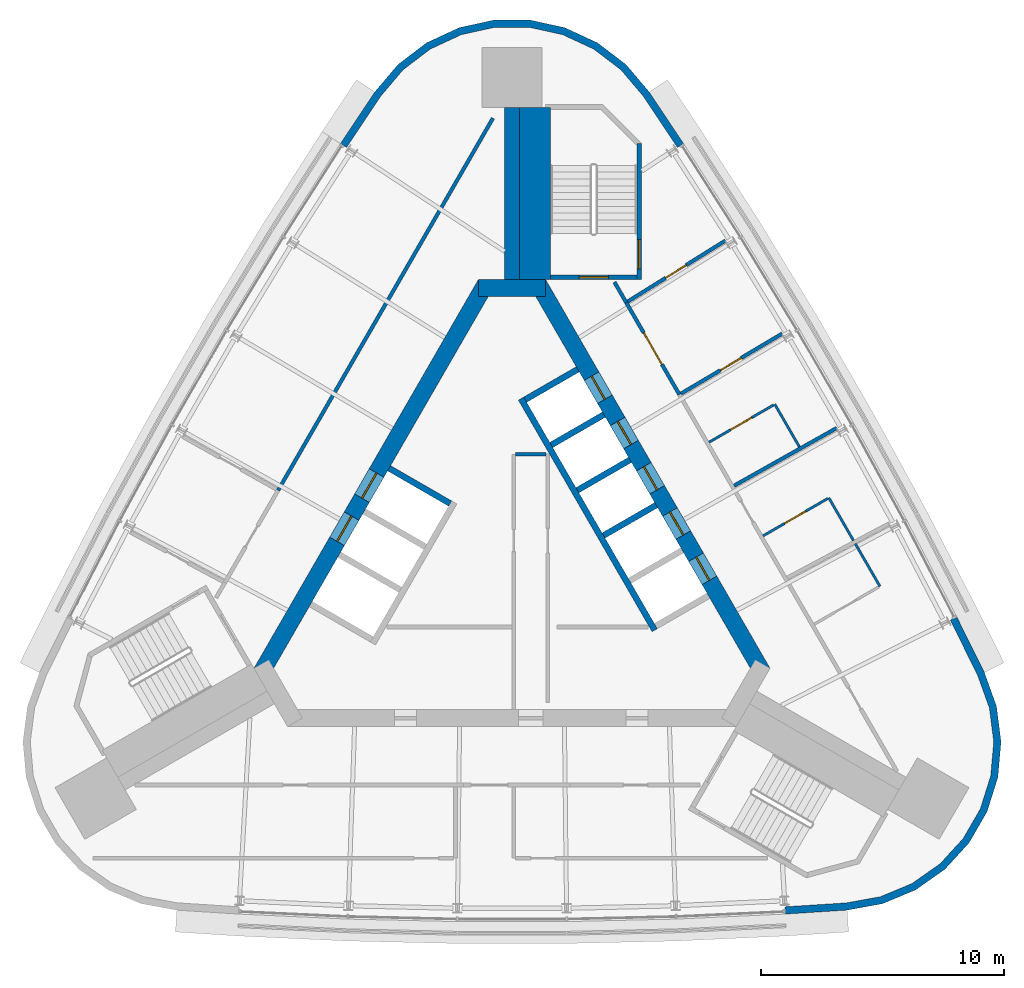
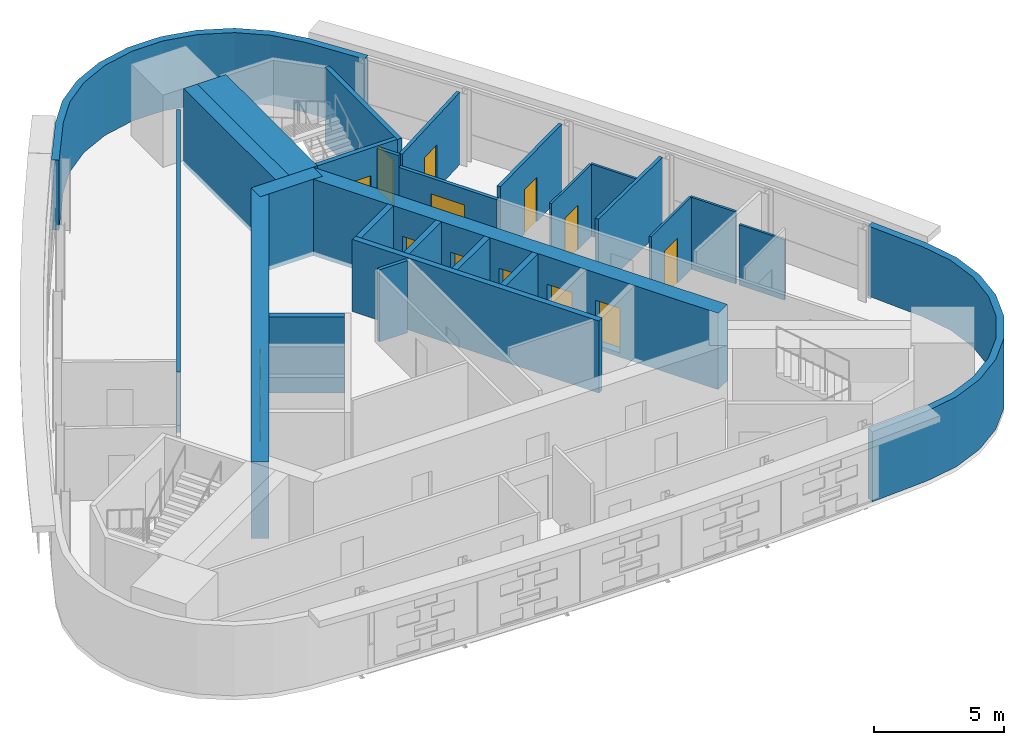
# One storey, part 7 of 10: 27 walls, 14 doors, 14 openings.
"""IFC4 building model written with IfcOpenShell, lengths in metres."""

from ifc_helpers import new_model, si_unit, direction, frame, frame_2d, origin, place, context, subcontext, project, spatial, polyline, rectangle, outline, extrude, material, layer, layer_set, type_object, element, fill, save


model = new_model("IFC4")

# Units and contexts
model_context = context("Model", 3, precision=1e-05, world=origin(), true_north=direction((0.0, 1.0)))
body_context = subcontext(model_context, "Body", "Model", "MODEL_VIEW")
ifc_project = project(units=[si_unit("LENGTHUNIT", "METRE"), si_unit("AREAUNIT", "SQUARE_METRE"), si_unit("VOLUMEUNIT", "CUBIC_METRE"), si_unit("PLANEANGLEUNIT", "RADIAN"), si_unit("MASSUNIT", "GRAM", prefix="KILO")], contexts=[model_context])

# Site, building, storey
site_placement = place(None, origin())
site = spatial("IfcSite", under=ifc_project, at=site_placement, CompositionType="ELEMENT")
building_placement = place(site_placement, origin())
building = spatial("IfcBuilding", under=site, at=building_placement, Name="Noor Cloister Tower", CompositionType="ELEMENT")
storey_placement = place(building_placement, frame((0.0, 0.0, 243.60009765625)))
storey = spatial("IfcBuildingStorey", under=building, at=storey_placement, Name="L63", CompositionType="ELEMENT", Elevation=243.60009765625)

# Walls
ifc_material_1 = material(Name="Concrete C60/75", Category="concrete")
ifc_layer_1 = layer(ifc_material_1, 0.60009765625)
ifc_layer_set_1 = layer_set([ifc_layer_1], Name="Buttress wall 600 C60/75")
wall_type_1 = type_object("IfcWallType", Name="Buttress wall 600 C60/75", PredefinedType="SHEAR", material=ifc_layer_set_1)
wall_1_placement = place(storey_placement, frame((0.0, 11.456298828125, -0.2001953125), z_axis=(0.0, 0.0, 1.0), x_axis=(0.0, 1.0, 0.0)))
element("IfcWall", 1, at=wall_1_placement, inside=storey, type_object=wall_type_1, Name="Buttress wall N L63", PredefinedType="SHEAR", context=body_context, shape_type="SweptSolid", body=[
    extrude(rectangle(XDim=7.09375, YDim=0.60009765625, at=frame_2d((3.546875, 0.0))), origin(), (0.0, 0.0, 1.0), 3.60009765625),
])
ifc_material_2 = material(Name="Concrete C30/37", Category="concrete")
ifc_layer_2 = layer(ifc_material_2, 0.14990234375)
ifc_layer_set_2 = layer_set([ifc_layer_2], Name="Core partition 150 C30/37")
wall_type_2 = type_object("IfcWallType", Name="Core partition 150 C30/37", PredefinedType="PARTITIONING", material=ifc_layer_set_2)
wall_2_placement = place(storey_placement, frame((0.146240234375, 4.271728515625, 0.0), z_axis=(0.0, 0.0, 1.0), x_axis=(1.0, 0.0, 0.0)))
element("IfcWall", 2, at=wall_2_placement, inside=storey, type_object=wall_type_2, Name="Core room partition L63 3", PredefinedType="PARTITIONING", context=body_context, shape_type="SweptSolid", body=[
    extrude(rectangle(XDim=1.25, YDim=0.14990234375, at=frame_2d((0.625, 0.0))), origin(), (0.0, 0.0, 1.0), 3.39990234375),
])

# Wall, openings, doors
ifc_material_3 = material(Name="Concrete C60/75", Category="concrete")
ifc_layer_3 = layer(ifc_material_3, 0.699951171875)
ifc_layer_set_3 = layer_set([ifc_layer_3], Name="Core wall 700 C60/75")
wall_type_3 = type_object("IfcWallType", Name="Core wall 700 C60/75", PredefinedType="SHEAR", material=ifc_layer_set_3)
wall_3_placement = place(storey_placement, frame((10.311279296875, -4.703125, -0.2001953125), z_axis=(0.0, 0.0, 1.0), x_axis=(-0.500001446645, 0.866024568562, 0.0)))
wall_3 = element("IfcWall", 3, at=wall_3_placement, inside=storey, type_object=wall_type_3, Name="Core wall L63 3", PredefinedType="SHEAR", context=body_context, shape_type="SweptSolid", body=[
    extrude(rectangle(XDim=18.45751953125, YDim=0.699951171875, at=frame_2d((9.228759765625, 0.0))), origin(), (0.0, 0.0, 1.0), 3.60009765625),
])
opening_1_placement = place(wall_3_placement, frame((4.378662109375, 0.0, 0.199951171875)))
opening_1 = element("IfcOpeningElement", 4, at=opening_1_placement, cuts=wall_3, Name="Opening L63-HR1", PredefinedType="OPENING", context=body_context, shape_type="SweptSolid", body=[
    extrude(rectangle(XDim=1.10009765625, YDim=2.10009765625, at=frame_2d((0.550048828125, 1.050048828125))), frame((0.0, 0.35986328125, 0.0), z_axis=(0.0, -1.0, 0.0), x_axis=(1.0, 0.0, 0.0)), (0.0, 0.0, 1.0), 0.719970703125),
])
opening_2_placement = place(wall_3_placement, frame((6.52880859375, 0.0, 0.199951171875)))
opening_2 = element("IfcOpeningElement", 5, at=opening_2_placement, cuts=wall_3, Name="Opening L63-HR2", PredefinedType="OPENING", context=body_context, shape_type="SweptSolid", body=[
    extrude(rectangle(XDim=1.10009765625, YDim=2.10009765625, at=frame_2d((0.550048828125, 1.050048828125))), frame((0.0, 0.35986328125, 0.0), z_axis=(0.0, -1.0, 0.0), x_axis=(1.0, 0.0, 0.0)), (0.0, 0.0, 1.0), 0.719970703125),
])
opening_3_placement = place(wall_3_placement, frame((8.6787109375, 0.0, 0.199951171875)))
opening_3 = element("IfcOpeningElement", 6, at=opening_3_placement, cuts=wall_3, Name="Opening L63-HR3", PredefinedType="OPENING", context=body_context, shape_type="SweptSolid", body=[
    extrude(rectangle(XDim=1.10009765625, YDim=2.10009765625, at=frame_2d((0.550048828125, 1.050048828125))), frame((0.0, 0.35986328125, 0.0), z_axis=(0.0, -1.0, 0.0), x_axis=(1.0, 0.0, 0.0)), (0.0, 0.0, 1.0), 0.719970703125),
])
opening_4_placement = place(wall_3_placement, frame((10.82861328125, 0.0, 0.199951171875)))
opening_4 = element("IfcOpeningElement", 7, at=opening_4_placement, cuts=wall_3, Name="Opening L63-HR4", PredefinedType="OPENING", context=body_context, shape_type="SweptSolid", body=[
    extrude(rectangle(XDim=1.10009765625, YDim=2.10009765625, at=frame_2d((0.550048828125, 1.050048828125))), frame((0.0, 0.35986328125, 0.0), z_axis=(0.0, -1.0, 0.0), x_axis=(1.0, 0.0, 0.0)), (0.0, 0.0, 1.0), 0.719970703125),
])
opening_5_placement = place(wall_3_placement, frame((12.978759765625, 0.0, 0.199951171875)))
opening_5 = element("IfcOpeningElement", 8, at=opening_5_placement, cuts=wall_3, Name="Opening L63-HR5", PredefinedType="OPENING", context=body_context, shape_type="SweptSolid", body=[
    extrude(rectangle(XDim=1.10009765625, YDim=2.10009765625, at=frame_2d((0.550048828125, 1.050048828125))), frame((0.0, 0.35986328125, 0.0), z_axis=(0.0, -1.0, 0.0), x_axis=(1.0, 0.0, 0.0)), (0.0, 0.0, 1.0), 0.719970703125),
])
ifc_material_4 = material(Name="Stainless steel", Category="steel")
door_type_1 = type_object("IfcDoorType", Name="Lift landing door 1100 x 2100", OperationType="DOUBLE_DOOR_SLIDING", PredefinedType="DOOR", material=ifc_material_4)
door_1_placement = place(opening_1_placement, origin())
door_1 = element("IfcDoor", 9, at=door_1_placement, inside=storey, type_object=door_type_1, Name="Landing door HR1 L63", OperationType="DOUBLE_DOOR_SLIDING", OverallHeight=2.10009765625, OverallWidth=1.10009765625, PredefinedType="DOOR", context=body_context, shape_type="SweptSolid", body=[
    extrude(rectangle(XDim=1.10009765625, YDim=2.10009765625, at=frame_2d((0.550048828125, 1.050048828125))), frame((0.0, 0.02490234375, 0.0), z_axis=(0.0, -1.0, 0.0), x_axis=(1.0, 0.0, 0.0)), (0.0, 0.0, 1.0), 0.050048828125),
])
fill(opening_1, door_1)
door_2_placement = place(opening_2_placement, origin())
door_2 = element("IfcDoor", 10, at=door_2_placement, inside=storey, type_object=door_type_1, Name="Landing door HR2 L63", OperationType="DOUBLE_DOOR_SLIDING", OverallHeight=2.10009765625, OverallWidth=1.10009765625, PredefinedType="DOOR", context=body_context, shape_type="SweptSolid", body=[
    extrude(rectangle(XDim=1.10009765625, YDim=2.10009765625, at=frame_2d((0.550048828125, 1.050048828125))), frame((0.0, 0.02490234375, 0.0), z_axis=(0.0, -1.0, 0.0), x_axis=(1.0, 0.0, 0.0)), (0.0, 0.0, 1.0), 0.050048828125),
])
fill(opening_2, door_2)
door_3_placement = place(opening_3_placement, origin())
door_3 = element("IfcDoor", 11, at=door_3_placement, inside=storey, type_object=door_type_1, Name="Landing door HR3 L63", OperationType="DOUBLE_DOOR_SLIDING", OverallHeight=2.10009765625, OverallWidth=1.10009765625, PredefinedType="DOOR", context=body_context, shape_type="SweptSolid", body=[
    extrude(rectangle(XDim=1.10009765625, YDim=2.10009765625, at=frame_2d((0.550048828125, 1.050048828125))), frame((0.0, 0.02490234375, 0.0), z_axis=(0.0, -1.0, 0.0), x_axis=(1.0, 0.0, 0.0)), (0.0, 0.0, 1.0), 0.050048828125),
])
fill(opening_3, door_3)
door_4_placement = place(opening_4_placement, origin())
door_4 = element("IfcDoor", 12, at=door_4_placement, inside=storey, type_object=door_type_1, Name="Landing door HR4 L63", OperationType="DOUBLE_DOOR_SLIDING", OverallHeight=2.10009765625, OverallWidth=1.10009765625, PredefinedType="DOOR", context=body_context, shape_type="SweptSolid", body=[
    extrude(rectangle(XDim=1.10009765625, YDim=2.10009765625, at=frame_2d((0.550048828125, 1.050048828125))), frame((0.0, 0.02490234375, 0.0), z_axis=(0.0, -1.0, 0.0), x_axis=(1.0, 0.0, 0.0)), (0.0, 0.0, 1.0), 0.050048828125),
])
fill(opening_4, door_4)
door_5_placement = place(opening_5_placement, origin())
door_5 = element("IfcDoor", 13, at=door_5_placement, inside=storey, type_object=door_type_1, Name="Landing door HR5 L63", OperationType="DOUBLE_DOOR_SLIDING", OverallHeight=2.10009765625, OverallWidth=1.10009765625, PredefinedType="DOOR", context=body_context, shape_type="SweptSolid", body=[
    extrude(rectangle(XDim=1.10009765625, YDim=2.10009765625, at=frame_2d((0.550048828125, 1.050048828125))), frame((0.0, 0.02490234375, 0.0), z_axis=(0.0, -1.0, 0.0), x_axis=(1.0, 0.0, 0.0)), (0.0, 0.0, 1.0), 0.050048828125),
])
fill(opening_5, door_5)

# Wall
wall_4_placement = place(storey_placement, frame((1.3857421875, 11.1064453125, -0.2001953125), z_axis=(0.0, 0.0, 1.0), x_axis=(-1.0, 0.0, 0.0)))
element("IfcWall", 14, at=wall_4_placement, inside=storey, type_object=wall_type_3, Name="Core wall L63 4", PredefinedType="SHEAR", context=body_context, shape_type="SweptSolid", body=[
    extrude(rectangle(XDim=2.771484375, YDim=0.699951171875, at=frame_2d((1.3857421875, 0.0))), origin(), (0.0, 0.0, 1.0), 3.60009765625),
])

# Wall, openings, doors
wall_5_placement = place(storey_placement, frame((-1.08251953125, 11.281494140625, -0.2001953125), z_axis=(0.0, 0.0, 1.0), x_axis=(-0.500001446645, -0.866024568562, 0.0)))
wall_5 = element("IfcWall", 15, at=wall_5_placement, inside=storey, type_object=wall_type_3, Name="Core wall L63 5", PredefinedType="SHEAR", context=body_context, shape_type="SweptSolid", body=[
    extrude(rectangle(XDim=18.45751953125, YDim=0.699951171875, at=frame_2d((9.228759765625, 0.0))), origin(), (0.0, 0.0, 1.0), 3.60009765625),
])
opening_6_placement = place(wall_5_placement, frame((8.978759765625, 0.0, 0.199951171875)))
opening_6 = element("IfcOpeningElement", 16, at=opening_6_placement, cuts=wall_5, Name="Opening L63-FF1", PredefinedType="OPENING", context=body_context, shape_type="SweptSolid", body=[
    extrude(rectangle(XDim=1.199951171875, YDim=2.10009765625, at=frame_2d((0.60009765625, 1.050048828125))), frame((0.0, 0.35986328125, 0.0), z_axis=(0.0, -1.0, 0.0), x_axis=(1.0, 0.0, 0.0)), (0.0, 0.0, 1.0), 0.719970703125),
])
opening_7_placement = place(wall_5_placement, frame((11.02880859375, 0.0, 0.199951171875)))
opening_7 = element("IfcOpeningElement", 17, at=opening_7_placement, cuts=wall_5, Name="Opening L63-FF2", PredefinedType="OPENING", context=body_context, shape_type="SweptSolid", body=[
    extrude(rectangle(XDim=1.199951171875, YDim=2.10009765625, at=frame_2d((0.60009765625, 1.050048828125))), frame((0.0, 0.35986328125, 0.0), z_axis=(0.0, -1.0, 0.0), x_axis=(1.0, 0.0, 0.0)), (0.0, 0.0, 1.0), 0.719970703125),
])
ifc_material_5 = material(Name="Stainless steel", Category="steel")
door_type_2 = type_object("IfcDoorType", Name="Lift landing door 1200 x 2100", OperationType="DOUBLE_DOOR_SLIDING", PredefinedType="DOOR", material=ifc_material_5)
door_6_placement = place(opening_6_placement, origin())
door_6 = element("IfcDoor", 18, at=door_6_placement, inside=storey, type_object=door_type_2, Name="Landing door FF1 L63", OperationType="DOUBLE_DOOR_SLIDING", OverallHeight=2.10009765625, OverallWidth=1.199951171875, PredefinedType="DOOR", context=body_context, shape_type="SweptSolid", body=[
    extrude(rectangle(XDim=1.199951171875, YDim=2.10009765625, at=frame_2d((0.60009765625, 1.050048828125))), frame((0.0, 0.02490234375, 0.0), z_axis=(0.0, -1.0, 0.0), x_axis=(1.0, 0.0, 0.0)), (0.0, 0.0, 1.0), 0.050048828125),
])
fill(opening_6, door_6)
door_7_placement = place(opening_7_placement, origin())
door_7 = element("IfcDoor", 19, at=door_7_placement, inside=storey, type_object=door_type_2, Name="Landing door FF2 L63", OperationType="DOUBLE_DOOR_SLIDING", OverallHeight=2.10009765625, OverallWidth=1.199951171875, PredefinedType="DOOR", context=body_context, shape_type="SweptSolid", body=[
    extrude(rectangle(XDim=1.199951171875, YDim=2.10009765625, at=frame_2d((0.60009765625, 1.050048828125))), frame((0.0, 0.02490234375, 0.0), z_axis=(0.0, -1.0, 0.0), x_axis=(1.0, 0.0, 0.0)), (0.0, 0.0, 1.0), 0.050048828125),
])
fill(opening_7, door_7)

# Walls
ifc_material_6 = material(Name="Fire-rated gypsum board partition on steel studs, 150 mm", Category="steel")
ifc_layer_4 = layer(ifc_material_6, 0.14990234375)
ifc_layer_set_4 = layer_set([ifc_layer_4], Name="Fire lobby wall 150")
wall_type_4 = type_object("IfcWallType", Name="Fire lobby wall 150", PredefinedType="PARTITIONING", material=ifc_layer_set_4)
wall_6_placement = place(storey_placement, frame((-0.783203125, 18.10009765625, 0.0), z_axis=(0.0, 0.0, 1.0), x_axis=(-0.499991500055, -0.866030311174, 0.0)))
element("IfcWall", 20, at=wall_6_placement, inside=storey, type_object=wall_type_4, Name="Wall L63-W21", PredefinedType="PARTITIONING", context=body_context, shape_type="SweptSolid", body=[
    extrude(rectangle(XDim=17.673583984375, YDim=0.14990234375, at=frame_2d((8.8369140625, 0.0))), origin(), (0.0, 0.0, 1.0), 2.851806640625),
])
ifc_material_7 = material(Name="Gypsum board partition on steel studs, 150 mm", Category="steel")
ifc_layer_5 = layer(ifc_material_7, 0.14990234375)
ifc_layer_set_5 = layer_set([ifc_layer_5], Name="Flat wall 150")
wall_type_5 = type_object("IfcWallType", Name="Flat wall 150", PredefinedType="PARTITIONING", material=ifc_layer_set_5)
wall_7_placement = place(storey_placement, frame((4.698974609375, 10.517578125, 0.0), z_axis=(0.0, 0.0, 1.0), x_axis=(-0.500042431503, 0.866000904559, 0.0)))
element("IfcWall", 21, at=wall_7_placement, inside=storey, type_object=wall_type_5, Name="Wall L63-W02", PredefinedType="PARTITIONING", context=body_context, shape_type="SweptSolid", body=[
    extrude(rectangle(XDim=0.96875, YDim=0.14990234375, at=frame_2d((0.484375, 0.0))), origin(), (0.0, 0.0, 1.0), 3.39990234375),
])

# Wall, opening, door
wall_8_placement = place(storey_placement, frame((11.115966796875, 9.237548828125, 0.0), z_axis=(0.0, 0.0, 1.0), x_axis=(-0.860234203322, -0.509899122803, 0.0)))
wall_8 = element("IfcWall", 22, at=wall_8_placement, inside=storey, type_object=wall_type_5, Name="Wall L63-W03", PredefinedType="PARTITIONING", context=body_context, shape_type="SweptSolid", body=[
    extrude(rectangle(XDim=4.842529296875, YDim=0.14990234375, at=frame_2d((2.42138671875, 0.0))), origin(), (0.0, 0.0, 1.0), 3.39990234375),
])
opening_8_placement = place(wall_8_placement, frame((1.958740234375, 0.0, 0.0)))
opening_8 = element("IfcOpeningElement", 23, at=opening_8_placement, cuts=wall_8, Name="Opening L63-007", PredefinedType="OPENING", context=body_context, shape_type="SweptSolid", body=[
    extrude(rectangle(XDim=1.0, YDim=2.10009765625, at=frame_2d((0.5, 1.050048828125))), frame((0.0, 0.0849609375, 0.0), z_axis=(0.0, -1.0, 0.0), x_axis=(1.0, 0.0, 0.0)), (0.0, 0.0, 1.0), 0.169921875),
])
ifc_material_8 = material(Name="Timber door leaf with steel frame", Category="steel")
door_type_3 = type_object("IfcDoorType", Name="Flat entrance door 1000", OperationType="NOTDEFINED", PredefinedType="DOOR", material=ifc_material_8)
door_8_placement = place(opening_8_placement, origin())
door_8 = element("IfcDoor", 24, at=door_8_placement, inside=storey, type_object=door_type_3, Name="Door L63-007", OperationType="SINGLE_SWING_LEFT", OverallHeight=2.10009765625, OverallWidth=1.0, PredefinedType="DOOR", context=body_context, shape_type="SweptSolid", body=[
    extrude(rectangle(XDim=1.0, YDim=2.10009765625, at=frame_2d((0.5, 1.050048828125))), frame((0.0, 0.02490234375, 0.0), z_axis=(0.0, -1.0, 0.0), x_axis=(1.0, 0.0, 0.0)), (0.0, 0.0, 1.0), 0.050048828125),
])
fill(opening_8, door_8)

wall_9_placement = place(storey_placement, frame((8.78173828125, 13.065673828125, 0.0), z_axis=(0.0, 0.0, 1.0), x_axis=(-0.848316605914, -0.529489316351, 0.0)))
wall_9 = element("IfcWall", 25, at=wall_9_placement, inside=storey, type_object=wall_type_5, Name="Wall L63-W04", PredefinedType="PARTITIONING", context=body_context, shape_type="SweptSolid", body=[
    extrude(rectangle(XDim=4.737548828125, YDim=0.14990234375, at=frame_2d((2.36865234375, 0.0))), origin(), (0.0, 0.0, 1.0), 3.39990234375),
])
opening_9_placement = place(wall_9_placement, frame((1.90625, 0.0, 0.0)))
opening_9 = element("IfcOpeningElement", 26, at=opening_9_placement, cuts=wall_9, Name="Opening L63-008", PredefinedType="OPENING", context=body_context, shape_type="SweptSolid", body=[
    extrude(rectangle(XDim=1.0, YDim=2.10009765625, at=frame_2d((0.5, 1.050048828125))), frame((0.0, 0.0849609375, 0.0), z_axis=(0.0, -1.0, 0.0), x_axis=(1.0, 0.0, 0.0)), (0.0, 0.0, 1.0), 0.169921875),
])
ifc_material_9 = material(Name="Timber door leaf with steel frame", Category="steel")
door_type_4 = type_object("IfcDoorType", Name="Interior door 1000 FD60", OperationType="NOTDEFINED", PredefinedType="DOOR", material=ifc_material_9)
door_9_placement = place(opening_9_placement, origin())
door_9 = element("IfcDoor", 27, at=door_9_placement, inside=storey, type_object=door_type_4, Name="Door L63-008", OperationType="SINGLE_SWING_RIGHT", OverallHeight=2.10009765625, OverallWidth=1.0, PredefinedType="DOOR", context=body_context, shape_type="SweptSolid", body=[
    extrude(rectangle(XDim=1.0, YDim=2.10009765625, at=frame_2d((0.5, 1.050048828125))), frame((0.0, 0.02490234375, 0.0), z_axis=(0.0, -1.0, 0.0), x_axis=(1.0, 0.0, 0.0)), (0.0, 0.0, 1.0), 0.050048828125),
])
fill(opening_9, door_9)

wall_10_placement = place(storey_placement, frame((6.8857421875, 6.72998046875, 0.0), z_axis=(0.0, 0.0, 1.0), x_axis=(-0.499999494409, 0.866025695687, 0.0)))
wall_10 = element("IfcWall", 28, at=wall_10_placement, inside=storey, type_object=wall_type_5, Name="Wall L63-W05", PredefinedType="PARTITIONING", context=body_context, shape_type="SweptSolid", body=[
    extrude(rectangle(XDim=4.37353515625, YDim=0.14990234375, at=frame_2d((2.186767578125, 0.0))), origin(), (0.0, 0.0, 1.0), 2.851806640625),
])
opening_10_placement = place(wall_10_placement, frame((1.436767578125, 0.0, 0.0)))
opening_10 = element("IfcOpeningElement", 29, at=opening_10_placement, cuts=wall_10, Name="Opening L63-001", PredefinedType="OPENING", context=body_context, shape_type="SweptSolid", body=[
    extrude(rectangle(XDim=1.5, YDim=2.10009765625, at=frame_2d((0.75, 1.050048828125))), frame((0.0, 0.0849609375, 0.0), z_axis=(0.0, -1.0, 0.0), x_axis=(1.0, 0.0, 0.0)), (0.0, 0.0, 1.0), 0.169921875),
])
ifc_material_10 = material(Name="Timber door leaf with steel frame", Category="steel")
door_type_5 = type_object("IfcDoorType", Name="Double door 1500 FD60", OperationType="NOTDEFINED", PredefinedType="DOOR", material=ifc_material_10)
door_10_placement = place(opening_10_placement, origin())
door_10 = element("IfcDoor", 30, at=door_10_placement, inside=storey, type_object=door_type_5, Name="Door L63-001", OperationType="DOUBLE_DOOR_SINGLE_SWING", OverallHeight=2.10009765625, OverallWidth=1.5, PredefinedType="DOOR", context=body_context, shape_type="SweptSolid", body=[
    extrude(rectangle(XDim=1.5, YDim=2.10009765625, at=frame_2d((0.75, 1.050048828125))), frame((0.0, 0.02490234375, 0.0), z_axis=(0.0, -1.0, 0.0), x_axis=(1.0, 0.0, 0.0)), (0.0, 0.0, 1.0), 0.050048828125),
])
fill(opening_10, door_10)

# Walls
wall_11_placement = place(storey_placement, frame((13.36181640625, 5.356689453125, 0.0), z_axis=(0.0, 0.0, 1.0), x_axis=(-0.871708672205, -0.490024479799, 0.0)))
element("IfcWall", 31, at=wall_11_placement, inside=storey, type_object=wall_type_5, Name="Wall L63-W11", PredefinedType="PARTITIONING", context=body_context, shape_type="SweptSolid", body=[
    extrude(rectangle(XDim=4.84716796875, YDim=0.14990234375, at=frame_2d((2.423583984375, 0.0))), origin(), (0.0, 0.0, 1.0), 3.39990234375),
])
ifc_material_11 = material(Name="Limestone", Category="masonry")
ifc_layer_6 = layer(ifc_material_11, 0.300048828125)
ifc_layer_set_6 = layer_set([ifc_layer_6], Name="Limestone cladding 300")
wall_type_6 = type_object("IfcWallType", Name="Limestone cladding 300", PredefinedType="NOTDEFINED", material=ifc_layer_set_6)
wall_12_placement = place(storey_placement, origin())
element("IfcWall", 32, at=wall_12_placement, inside=storey, type_object=wall_type_6, Name="Limestone pier cladding L63 2.1", PredefinedType="NOTDEFINED", context=body_context, shape_type="SweptSolid", body=[
    extrude(outline(polyline([(11.243896484375, -14.640625), (13.788818359375, -14.47802734375), (15.24072265625, -14.21533203125), (16.60205078125, -13.646484375), (17.808837890625, -12.797607421875), (18.804443359375, -11.70849609375), (19.542236328125, -10.430908203125), (19.9873046875, -9.024169921875), (20.119140625, -7.5546875), (19.931396484375, -6.091064453125), (19.4326171875, -4.702392578125), (18.301025390625, -2.417236328125), (18.0322265625, -2.55029296875), (19.15625, -4.820068359375), (19.637939453125, -6.161865234375), (19.8173828125, -7.560302734375), (19.69140625, -8.96484375), (19.26611328125, -10.30908203125), (18.56103515625, -11.5302734375), (17.609375, -12.571044921875), (16.4560546875, -13.38232421875), (15.1552734375, -13.926025390625), (13.75244140625, -14.1796875), (11.224609375, -14.341064453125), (11.243896484375, -14.640625)])), origin(), (0.0, 0.0, 1.0), 3.2998046875),
])
wall_13_placement = place(storey_placement, origin())
element("IfcWall", 33, at=wall_13_placement, inside=storey, type_object=wall_type_6, Name="Limestone pier cladding L63 3.1", PredefinedType="NOTDEFINED", context=body_context, shape_type="SweptSolid", body=[
    extrude(outline(polyline([(7.05712890625, 17.0576171875), (5.643798828125, 19.180419921875), (4.690673828125, 20.306640625), (3.51708984375, 21.200927734375), (2.178466796875, 21.821533203125), (0.73779296875, 22.139404296875), (-0.73779296875, 22.139404296875), (-2.178466796875, 21.821533203125), (-3.51708984375, 21.200927734375), (-4.690673828125, 20.306640625), (-5.643798828125, 19.180419921875), (-7.05712890625, 17.0576171875), (-6.807373046875, 16.891357421875), (-5.40380859375, 18.999755859375), (-4.482666015625, 20.087890625), (-3.361328125, 20.942626953125), (-2.08203125, 21.53564453125), (-0.705078125, 21.83935546875), (0.705078125, 21.83935546875), (2.08203125, 21.53564453125), (3.361328125, 20.942626953125), (4.482666015625, 20.087890625), (5.40380859375, 18.999755859375), (6.807373046875, 16.891357421875), (7.05712890625, 17.0576171875)])), origin(), (0.0, 0.0, 1.0), 3.2998046875),
])
ifc_material_12 = material(Name="Gypsum board partition on steel studs, 100 mm", Category="steel")
ifc_layer_7 = layer(ifc_material_12, 0.10009765625)
ifc_layer_set_7 = layer_set([ifc_layer_7], Name="Partition 100")
wall_type_7 = type_object("IfcWallType", Name="Partition 100", PredefinedType="PARTITIONING", material=ifc_layer_set_7)
wall_14_placement = place(storey_placement, frame((14.12158203125, 0.596923828125, 0.0), z_axis=(0.0, 0.0, 1.0), x_axis=(0.499990325971, -0.866030989016, 0.0)))
element("IfcWall", 34, at=wall_14_placement, inside=storey, type_object=wall_type_7, Name="Wall L63-W06", PredefinedType="PARTITIONING", context=body_context, shape_type="SweptSolid", body=[
    extrude(rectangle(XDim=2.02490234375, YDim=0.10009765625, at=frame_2d((1.012451171875, 0.0))), origin(), (0.0, 0.0, 1.0), 2.851806640625),
])
wall_15_placement = place(storey_placement, frame((14.046630859375, 0.72705078125, 0.0), z_axis=(0.0, 0.0, 1.0), x_axis=(-0.499990325971, 0.866030989016, 0.0)))
element("IfcWall", 35, at=wall_15_placement, inside=storey, type_object=wall_type_7, Name="Wall L63-W09", PredefinedType="PARTITIONING", context=body_context, shape_type="SweptSolid", body=[
    extrude(rectangle(XDim=2.02490234375, YDim=0.10009765625, at=frame_2d((1.012451171875, 0.0))), origin(), (0.0, 0.0, 1.0), 3.39990234375),
])

# Wall, opening, door
wall_16_placement = place(storey_placement, frame((12.99072265625, 2.45556640625, 0.0), z_axis=(0.0, 0.0, 1.0), x_axis=(-0.866030883713, -0.499990508365, 0.0)))
wall_16 = element("IfcWall", 36, at=wall_16_placement, inside=storey, type_object=wall_type_7, Name="Wall L63-W10", PredefinedType="PARTITIONING", context=body_context, shape_type="SweptSolid", body=[
    extrude(rectangle(XDim=3.07470703125, YDim=0.10009765625, at=frame_2d((1.537353515625, 0.0))), origin(), (0.0, 0.0, 1.0), 3.39990234375),
])
opening_11_placement = place(wall_16_placement, frame((1.050048828125, 0.0, 0.0)))
opening_11 = element("IfcOpeningElement", 37, at=opening_11_placement, cuts=wall_16, Name="Opening L63-004", PredefinedType="OPENING", context=body_context, shape_type="SweptSolid", body=[
    extrude(rectangle(XDim=1.0, YDim=2.10009765625, at=frame_2d((0.5, 1.050048828125))), frame((0.0, 0.06005859375, 0.0), z_axis=(0.0, -1.0, 0.0), x_axis=(1.0, 0.0, 0.0)), (0.0, 0.0, 1.0), 0.1201171875),
])
ifc_material_13 = material(Name="Timber door leaf with steel frame", Category="steel")
door_type_6 = type_object("IfcDoorType", Name="Interior door 1000", OperationType="NOTDEFINED", PredefinedType="DOOR", material=ifc_material_13)
door_11_placement = place(opening_11_placement, origin())
door_11 = element("IfcDoor", 38, at=door_11_placement, inside=storey, type_object=door_type_6, Name="Door L63-004", OperationType="SINGLE_SWING_RIGHT", OverallHeight=2.10009765625, OverallWidth=1.0, PredefinedType="DOOR", context=body_context, shape_type="SweptSolid", body=[
    extrude(rectangle(XDim=1.0, YDim=2.10009765625, at=frame_2d((0.5, 1.050048828125))), frame((0.0, 0.02490234375, 0.0), z_axis=(0.0, -1.0, 0.0), x_axis=(1.0, 0.0, 0.0)), (0.0, 0.0, 1.0), 0.050048828125),
])
fill(opening_11, door_11)

# Wall
wall_17_placement = place(storey_placement, frame((11.8232421875, 4.577880859375, 0.0), z_axis=(0.0, 0.0, 1.0), x_axis=(-0.499990325971, 0.866030989016, 0.0)))
element("IfcWall", 39, at=wall_17_placement, inside=storey, type_object=wall_type_7, Name="Wall L63-W12", PredefinedType="PARTITIONING", context=body_context, shape_type="SweptSolid", body=[
    extrude(rectangle(XDim=2.02490234375, YDim=0.10009765625, at=frame_2d((1.012451171875, 0.0))), origin(), (0.0, 0.0, 1.0), 3.39990234375),
])

# Wall, opening, door
wall_18_placement = place(storey_placement, frame((10.767578125, 6.306396484375, 0.0), z_axis=(0.0, 0.0, 1.0), x_axis=(-0.866050731258, -0.499956128963, 0.0)))
wall_18 = element("IfcWall", 40, at=wall_18_placement, inside=storey, type_object=wall_type_7, Name="Wall L63-W13", PredefinedType="PARTITIONING", context=body_context, shape_type="SweptSolid", body=[
    extrude(rectangle(XDim=3.074951171875, YDim=0.10009765625, at=frame_2d((1.53759765625, 0.0))), origin(), (0.0, 0.0, 1.0), 3.39990234375),
])
opening_12_placement = place(wall_18_placement, frame((1.050048828125, 0.0, 0.0)))
opening_12 = element("IfcOpeningElement", 41, at=opening_12_placement, cuts=wall_18, Name="Opening L63-006", PredefinedType="OPENING", context=body_context, shape_type="SweptSolid", body=[
    extrude(rectangle(XDim=1.0, YDim=2.10009765625, at=frame_2d((0.5, 1.050048828125))), frame((0.0, 0.06005859375, 0.0), z_axis=(0.0, -1.0, 0.0), x_axis=(1.0, 0.0, 0.0)), (0.0, 0.0, 1.0), 0.1201171875),
])
door_12_placement = place(opening_12_placement, origin())
door_12 = element("IfcDoor", 42, at=door_12_placement, inside=storey, type_object=door_type_6, Name="Door L63-006", OperationType="SINGLE_SWING_RIGHT", OverallHeight=2.10009765625, OverallWidth=1.0, PredefinedType="DOOR", context=body_context, shape_type="SweptSolid", body=[
    extrude(rectangle(XDim=1.0, YDim=2.10009765625, at=frame_2d((0.5, 1.050048828125))), frame((0.0, 0.02490234375, 0.0), z_axis=(0.0, -1.0, 0.0), x_axis=(1.0, 0.0, 0.0)), (0.0, 0.0, 1.0), 0.050048828125),
])
fill(opening_12, door_12)

# Walls
ifc_material_14 = material(Name="Concrete C60/75", Category="concrete")
ifc_layer_8 = layer(ifc_material_14, 0.25)
ifc_layer_set_8 = layer_set([ifc_layer_8], Name="Shaft wall 250 C60/75")
wall_type_8 = type_object("IfcWallType", Name="Shaft wall 250 C60/75", PredefinedType="PARTITIONING", material=ifc_layer_set_8)
wall_19_placement = place(storey_placement, frame((5.931396484375, 2.18310546875, -0.2001953125), z_axis=(0.0, 0.0, 1.0), x_axis=(-0.866047370643, -0.499961950354, 0.0)))
element("IfcWall", 43, at=wall_19_placement, inside=storey, type_object=wall_type_8, Name="Lift shaft wall L63 NE 3", PredefinedType="PARTITIONING", context=body_context, shape_type="SweptSolid", body=[
    extrude(rectangle(XDim=2.500244140625, YDim=0.25, at=frame_2d((1.25, 0.0))), origin(), (0.0, 0.0, 1.0), 3.60009765625),
])
for number, where, z_axis, x_axis, name in (
    (44, (4.856201171875, 4.045166015625, -0.2001953125), (0.0, 0.0, 1.0), (-0.866022959057, -0.500004234368, 0.0), "Lift shaft wall L63 NE 4"),
    (45, (3.78125, 5.906982421875, -0.2001953125), (0.0, 0.0, 1.0), (-0.866022959057, -0.500004234368, 0.0), "Lift shaft wall L63 NE 5"),
    (46, (2.706298828125, 7.76904296875, -0.2001953125), (0.0, 0.0, 1.0), (-0.866022959057, -0.500004234368, 0.0), "Lift shaft wall L63 NE 6"),
):
    element("IfcWall", number, at=place(storey_placement, frame(where, z_axis=z_axis, x_axis=x_axis)), inside=storey, type_object=wall_type_8, Name=name, PredefinedType="PARTITIONING", context=body_context, shape_type="SweptSolid", body=[
        extrude(rectangle(XDim=2.5, YDim=0.25, at=frame_2d((1.25, 0.0))), origin(), (0.0, 0.0, 1.0), 3.60009765625),
    ])
wall_20_placement = place(storey_placement, frame((5.870361328125, -2.96142578125, 0.0), z_axis=(0.0, 0.0, 1.0), x_axis=(-0.50000615651, 0.866021849293, 0.0)))
element("IfcWall", 47, at=wall_20_placement, inside=storey, type_object=wall_type_8, Name="Lift shaft back wall L63 NE", PredefinedType="PARTITIONING", context=body_context, shape_type="SweptSolid", body=[
    extrude(rectangle(XDim=10.999755859375, YDim=0.25, at=frame_2d((5.5, 0.0))), origin(), (0.0, 0.0, 1.0), 3.39990234375),
])
wall_21_placement = place(storey_placement, frame((-5.056396484375, 3.69873046875, -0.2001953125), z_axis=(0.0, 0.0, 1.0), x_axis=(0.866032775405, -0.499987231761, 0.0)))
element("IfcWall", 48, at=wall_21_placement, inside=storey, type_object=wall_type_8, Name="Lift shaft wall L63 NW 3", PredefinedType="PARTITIONING", context=body_context, shape_type="SweptSolid", body=[
    extrude(rectangle(XDim=2.89990234375, YDim=0.25, at=frame_2d((1.449951171875, 0.0))), origin(), (0.0, 0.0, 1.0), 3.60009765625),
])
ifc_material_15 = material(Name="Concrete C60/75", Category="concrete")
ifc_layer_9 = layer(ifc_material_15, 1.285888671875)
ifc_layer_set_9 = layer_set([ifc_layer_9], Name="Stair enclosure wall 1286 C60/75")
wall_type_9 = type_object("IfcWallType", Name="Stair enclosure wall 1286 C60/75", PredefinedType="SHEAR", material=ifc_layer_set_9)
wall_22_placement = place(storey_placement, frame((0.94287109375, 11.456298828125, -0.2001953125), z_axis=(0.0, 0.0, 1.0), x_axis=(0.0, 1.0, 0.0)))
element("IfcWall", 49, at=wall_22_placement, inside=storey, type_object=wall_type_9, Name="Stair enclosure wall ST1 L63 riser side", PredefinedType="SHEAR", context=body_context, shape_type="SweptSolid", body=[
    extrude(rectangle(XDim=7.09375, YDim=1.28564453125, at=frame_2d((3.546875, 0.0))), origin(), (0.0, 0.0, 1.0), 3.60009765625),
])

# Wall, opening, door
ifc_material_16 = material(Name="Concrete C60/75", Category="concrete")
ifc_layer_10 = layer(ifc_material_16, 0.199951171875)
ifc_layer_set_10 = layer_set([ifc_layer_10], Name="Stair enclosure wall 200 C60/75")
wall_type_10 = type_object("IfcWallType", Name="Stair enclosure wall 200 C60/75", PredefinedType="SHEAR", material=ifc_layer_set_10)
wall_23_placement = place(storey_placement, frame((5.135498046875, 11.556396484375, -0.2001953125), z_axis=(0.0, 0.0, 1.0), x_axis=(-1.0, 0.0, 0.0)))
wall_23 = element("IfcWall", 50, at=wall_23_placement, inside=storey, type_object=wall_type_10, Name="Stair enclosure wall ST1 L63 near end", PredefinedType="SHEAR", context=body_context, shape_type="SweptSolid", body=[
    extrude(rectangle(XDim=3.5498046875, YDim=0.199951171875, at=frame_2d((1.77490234375, 0.0))), origin(), (0.0, 0.0, 1.0), 3.60009765625),
])
opening_13_placement = place(wall_23_placement, frame((1.175048828125, 0.0, 0.199951171875)))
opening_13 = element("IfcOpeningElement", 51, at=opening_13_placement, cuts=wall_23, Name="Opening L63-ST1L", PredefinedType="OPENING", context=body_context, shape_type="SweptSolid", body=[
    extrude(rectangle(XDim=1.199951171875, YDim=2.10009765625, at=frame_2d((0.60009765625, 1.050048828125))), frame((0.0, 0.10986328125, 0.0), z_axis=(0.0, -1.0, 0.0), x_axis=(1.0, 0.0, 0.0)), (0.0, 0.0, 1.0), 0.219970703125),
])
ifc_material_17 = material(Name="Steel", Category="steel")
door_type_7 = type_object("IfcDoorType", Name="Stair door 1200 x 2100 FD120", OperationType="SINGLE_SWING_LEFT", PredefinedType="DOOR", material=ifc_material_17)
door_13_placement = place(opening_13_placement, origin())
door_13 = element("IfcDoor", 52, at=door_13_placement, inside=storey, type_object=door_type_7, Name="Stair door ST1 L63", OperationType="SINGLE_SWING_RIGHT", OverallHeight=2.10009765625, OverallWidth=1.199951171875, PredefinedType="DOOR", context=body_context, shape_type="SweptSolid", body=[
    extrude(rectangle(XDim=1.199951171875, YDim=2.10009765625, at=frame_2d((0.60009765625, 1.050048828125))), frame((0.0, 0.02490234375, 0.0), z_axis=(0.0, -1.0, 0.0), x_axis=(1.0, 0.0, 0.0)), (0.0, 0.0, 1.0), 0.050048828125),
])
fill(opening_13, door_13)

wall_24_placement = place(storey_placement, frame((5.235595703125, 11.456298828125, -0.2001953125), z_axis=(0.0, 0.0, 1.0), x_axis=(0.0, 1.0, 0.0)))
wall_24 = element("IfcWall", 53, at=wall_24_placement, inside=storey, type_object=wall_type_10, Name="Stair enclosure wall ST1 L63 outer side", PredefinedType="SHEAR", context=body_context, shape_type="SweptSolid", body=[
    extrude(rectangle(XDim=5.60009765625, YDim=0.199951171875, at=frame_2d((2.800048828125, 0.0))), origin(), (0.0, 0.0, 1.0), 3.60009765625),
])
opening_14_placement = place(wall_24_placement, frame((0.449951171875, 0.0, 0.199951171875)))
opening_14 = element("IfcOpeningElement", 54, at=opening_14_placement, cuts=wall_24, Name="Opening L63-ST1C", PredefinedType="OPENING", context=body_context, shape_type="SweptSolid", body=[
    extrude(rectangle(XDim=1.199951171875, YDim=2.10009765625, at=frame_2d((0.60009765625, 1.050048828125))), frame((0.0, 0.10986328125, 0.0), z_axis=(0.0, -1.0, 0.0), x_axis=(1.0, 0.0, 0.0)), (0.0, 0.0, 1.0), 0.219970703125),
])
door_14_placement = place(opening_14_placement, origin())
door_14 = element("IfcDoor", 55, at=door_14_placement, inside=storey, type_object=door_type_7, Name="Stair door ST1 L63", OperationType="SINGLE_SWING_LEFT", OverallHeight=2.10009765625, OverallWidth=1.199951171875, PredefinedType="DOOR", context=body_context, shape_type="SweptSolid", body=[
    extrude(rectangle(XDim=1.199951171875, YDim=2.10009765625, at=frame_2d((0.60009765625, 1.050048828125))), frame((0.0, 0.02490234375, 0.0), z_axis=(0.0, -1.0, 0.0), x_axis=(1.0, 0.0, 0.0)), (0.0, 0.0, 1.0), 0.050048828125),
])
fill(opening_14, door_14)

save(model, "model.ifc")
